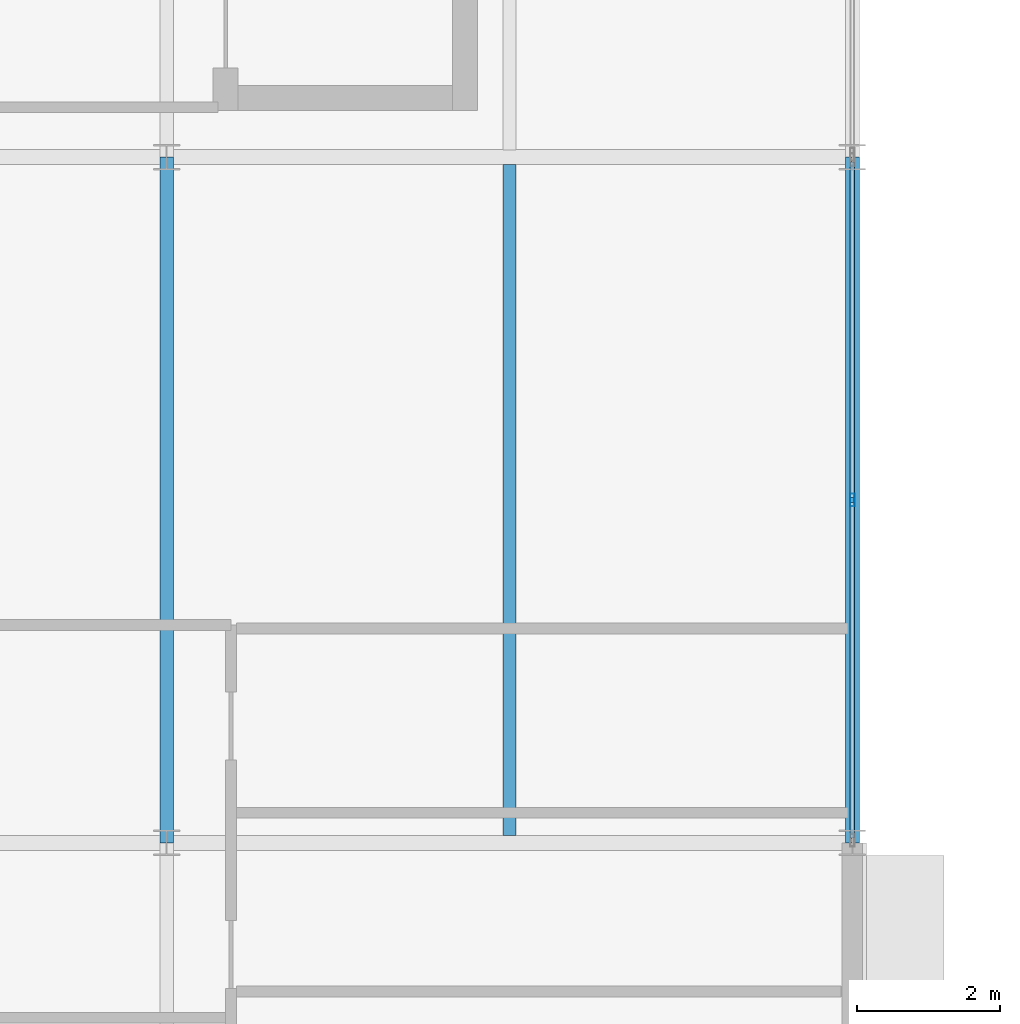
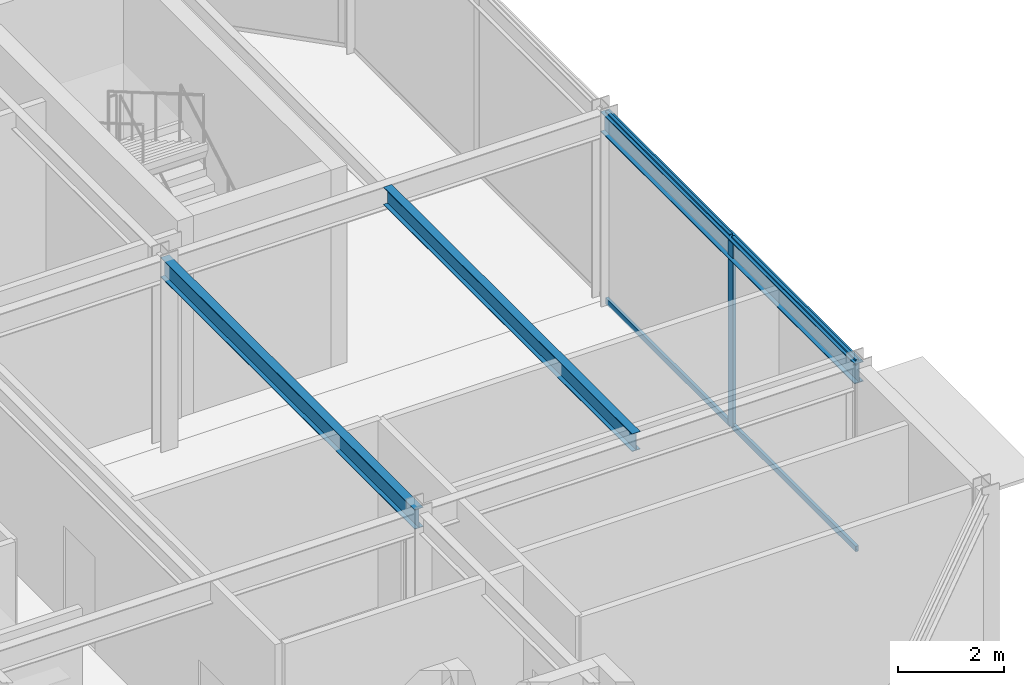
# One storey, part 35 of 116: 5 members, 3 beams, 1 element without a shape of its own.
"""IFC4 building model written with IfcOpenShell, lengths in metres."""

from ifc_helpers import new_model, si_unit, direction, frame, origin, origin_2d, place, context, subcontext, project, spatial, hollow_rectangle, i_section, extrude, material, material_profile, profile_set, type_object, element, aggregate, save


model = new_model("IFC4")

# Units and contexts
model_context = context("Model", 3, precision=1e-05, world=origin(), true_north=direction((0.0, 1.0)))
body_context = subcontext(model_context, "Body", "Model", "MODEL_VIEW")
ifc_project = project(units=[si_unit("LENGTHUNIT", "METRE"), si_unit("AREAUNIT", "SQUARE_METRE"), si_unit("VOLUMEUNIT", "CUBIC_METRE"), si_unit("PLANEANGLEUNIT", "RADIAN"), si_unit("MASSUNIT", "GRAM", prefix="KILO")], contexts=[model_context])

# Site, building, storey
site_placement = place(None, origin())
site = spatial("IfcSite", under=ifc_project, at=site_placement, CompositionType="ELEMENT")
building_placement = place(site_placement, origin())
building = spatial("IfcBuilding", under=site, at=building_placement, Name="Almandine Court Research Institute", CompositionType="ELEMENT")
storey_placement = place(building_placement, frame((0.0, 0.0, 14.35009765625)))
storey = spatial("IfcBuildingStorey", under=building, at=storey_placement, Name="L03", CompositionType="ELEMENT", Elevation=14.35009765625)

# Beams
ifc_material_1 = material(Name="Steel ASTM A992 Grade 50", Category="steel")
ifc_material_profile_1 = material_profile(ifc_material_1, i_section(OverallWidth=0.18994140625, OverallDepth=0.45703125, WebThickness=0.009033203125, FlangeThickness=0.014892578125, at=origin_2d()), Name="W460x74")
ifc_profile_set_1 = profile_set([ifc_material_profile_1], Name="Steel ASTM A992 Grade 50")
beam_type_1 = type_object("IfcBeamType", Name="Beam-B-01", PredefinedType="BEAM", material=ifc_profile_set_1)
beam_1_placement = place(storey_placement, frame((25.199951171875, 93.60009765625, 4.140869140625), z_axis=(0.0, 1.0, 0.0), x_axis=(-1.0, 0.0, 0.0)))
element("IfcBeam", 1, at=beam_1_placement, inside=storey, type_object=beam_type_1, Name="L03 V3 Primary Y Girder", PredefinedType="BEAM", context=body_context, shape_type="SweptSolid", body=[
    extrude(i_section(OverallWidth=0.18994140625, OverallDepth=0.45703125, WebThickness=0.009033203125, FlangeThickness=0.014892578125, at=origin_2d()), origin(), (0.0, 0.0, 1.0), 9.599853515625),
])
ifc_material_profile_2 = material_profile(ifc_material_1, i_section(OverallWidth=0.178955078125, OverallDepth=0.409912109375, WebThickness=0.009033203125, FlangeThickness=0.013916015625, at=origin_2d()), Name="W410x67")
ifc_profile_set_2 = profile_set([ifc_material_profile_2], Name="Steel ASTM A992 Grade 50")
beam_type_2 = type_object("IfcBeamType", Name="Beam-B-02", PredefinedType="JOIST", material=ifc_profile_set_2)
beam_2_placement = place(storey_placement, frame((30.0, 93.702880859375, 4.164794921875), z_axis=(0.0, 1.0, 0.0), x_axis=(-1.0, 0.0, 0.0)))
element("IfcBeam", 2, at=beam_2_placement, inside=storey, type_object=beam_type_2, Name="L03 V3 Composite Secondary Beam", PredefinedType="JOIST", context=body_context, shape_type="SweptSolid", body=[
    extrude(i_section(OverallWidth=0.178955078125, OverallDepth=0.409912109375, WebThickness=0.009033203125, FlangeThickness=0.013916015625, at=origin_2d()), origin(), (0.0, 0.0, 1.0), 9.39404296875),
])
ifc_material_profile_3 = material_profile(ifc_material_1, i_section(OverallWidth=0.193115234375, OverallDepth=0.466064453125, WebThickness=0.010986328125, FlangeThickness=0.01904296875, at=origin_2d()), Name="W460x97")
ifc_profile_set_3 = profile_set([ifc_material_profile_3], Name="Steel ASTM A992 Grade 50")
beam_type_3 = type_object("IfcBeamType", Name="Beam-G-06-E", PredefinedType="SPANDREL", material=ifc_profile_set_3)
beam_3_placement = place(storey_placement, frame((34.800048828125, 93.60009765625, 4.136962890625), z_axis=(0.0, 1.0, 0.0), x_axis=(-1.0, 0.0, 0.0)))
element("IfcBeam", 3, at=beam_3_placement, inside=storey, type_object=beam_type_3, Name="L03 V3 Primary Y Girder", PredefinedType="SPANDREL", context=body_context, shape_type="SweptSolid", body=[
    extrude(i_section(OverallWidth=0.193115234375, OverallDepth=0.466064453125, WebThickness=0.010986328125, FlangeThickness=0.01904296875, at=origin_2d()), origin(), (0.0, 0.0, 1.0), 9.599853515625),
])

# Curtain wall, members
ifc_material_2 = material(Name="Unitised Curtain Wall Framing and Solar Glazing", Category="glass")
curtain_wall_type = type_object("IfcCurtainWallType", Name="CW-CWJ-02", PredefinedType="USERDEFINED", material=ifc_material_2)
curtain_wall_placement = place(storey_placement, origin())
curtain_wall = element("IfcCurtainWall", 4, at=curtain_wall_placement, inside=storey, type_object=curtain_wall_type, Name="L03 Cleanroom East Courtyard Jali Screen 2", ObjectType="SOLAR JALI SCREEN", PredefinedType="USERDEFINED")
ifc_material_3 = material(Name="Anodised Aluminium AW-6063-T6", Category="aluminium")
ifc_material_profile_4 = material_profile(ifc_material_3, hollow_rectangle(XDim=0.06494140625, YDim=0.179931640625, WallThickness=0.00390625, at=origin_2d()), Name="ALU RHS 65x180x4")
ifc_profile_set_4 = profile_set([ifc_material_profile_4], Name="Anodised Aluminium AW-6063-T6")
member_type_1 = type_object("IfcMemberType", Name="CWMul-65x180", PredefinedType="MULLION", material=ifc_profile_set_4)
member_1_placement = place(storey_placement, frame((34.800048828125, 98.39990234375, 0.0), z_axis=(0.0, 0.0, 1.0), x_axis=(1.0, 0.0, 0.0)))
member_1 = element("IfcMember", 5, at=member_1_placement, type_object=member_type_1, Name="CWJ-02 mullion 2", PredefinedType="MULLION", context=body_context, shape_type="SweptSolid", body=[
    extrude(hollow_rectangle(XDim=0.06494140625, YDim=0.179931640625, WallThickness=0.00390625, at=origin_2d()), origin(), (0.0, 0.0, 1.0), 4.369873046875),
])
ifc_material_profile_5 = material_profile(ifc_material_3, hollow_rectangle(XDim=0.06494140625, YDim=0.1298828125, WallThickness=0.00390625, at=origin_2d()), Name="ALU RHS 65x130x4")
ifc_profile_set_5 = profile_set([ifc_material_profile_5], Name="Anodised Aluminium AW-6063-T6")
member_type_2 = type_object("IfcMemberType", Name="CWTrn-65x130", PredefinedType="NOTDEFINED", material=ifc_profile_set_5)
member_2_placement = place(storey_placement, frame((34.800048828125, 103.131103515625, 0.032470703125), z_axis=(0.0, -1.0, 0.0), x_axis=(1.0, 0.0, 0.0)))
member_2 = element("IfcMember", 6, at=member_2_placement, type_object=member_type_2, Name="CWJ-02 transom 1.1", ObjectType="TRANSOM", PredefinedType="USERDEFINED", context=body_context, shape_type="SweptSolid", body=[
    extrude(hollow_rectangle(XDim=0.06494140625, YDim=0.1298828125, WallThickness=0.00390625, at=origin_2d()), origin(), (0.0, 0.0, 1.0), 4.698486328125),
])
member_3_placement = place(storey_placement, frame((34.800048828125, 103.131103515625, 4.33740234375), z_axis=(0.0, -1.0, 0.0), x_axis=(1.0, 0.0, 0.0)))
member_3 = element("IfcMember", 7, at=member_3_placement, type_object=member_type_2, Name="CWJ-02 transom 1.2", ObjectType="TRANSOM", PredefinedType="USERDEFINED", context=body_context, shape_type="SweptSolid", body=[
    extrude(hollow_rectangle(XDim=0.06494140625, YDim=0.1298828125, WallThickness=0.00390625, at=origin_2d()), origin(), (0.0, 0.0, 1.0), 4.698486328125),
])
member_4_placement = place(storey_placement, frame((34.800048828125, 98.367431640625, 0.032470703125), z_axis=(0.0, -1.0, 0.0), x_axis=(1.0, 0.0, 0.0)))
member_4 = element("IfcMember", 8, at=member_4_placement, type_object=member_type_2, Name="CWJ-02 transom 2.1", ObjectType="TRANSOM", PredefinedType="USERDEFINED", context=body_context, shape_type="SweptSolid", body=[
    extrude(hollow_rectangle(XDim=0.06494140625, YDim=0.1298828125, WallThickness=0.00390625, at=origin_2d()), origin(), (0.0, 0.0, 1.0), 4.698486328125),
])
member_5_placement = place(storey_placement, frame((34.800048828125, 98.367431640625, 4.33740234375), z_axis=(0.0, -1.0, 0.0), x_axis=(1.0, 0.0, 0.0)))
member_5 = element("IfcMember", 9, at=member_5_placement, type_object=member_type_2, Name="CWJ-02 transom 2.2", ObjectType="TRANSOM", PredefinedType="USERDEFINED", context=body_context, shape_type="SweptSolid", body=[
    extrude(hollow_rectangle(XDim=0.06494140625, YDim=0.1298828125, WallThickness=0.00390625, at=origin_2d()), origin(), (0.0, 0.0, 1.0), 4.698486328125),
])
aggregate(curtain_wall, [member_1, member_2, member_3, member_4, member_5])

save(model, "model.ifc")
